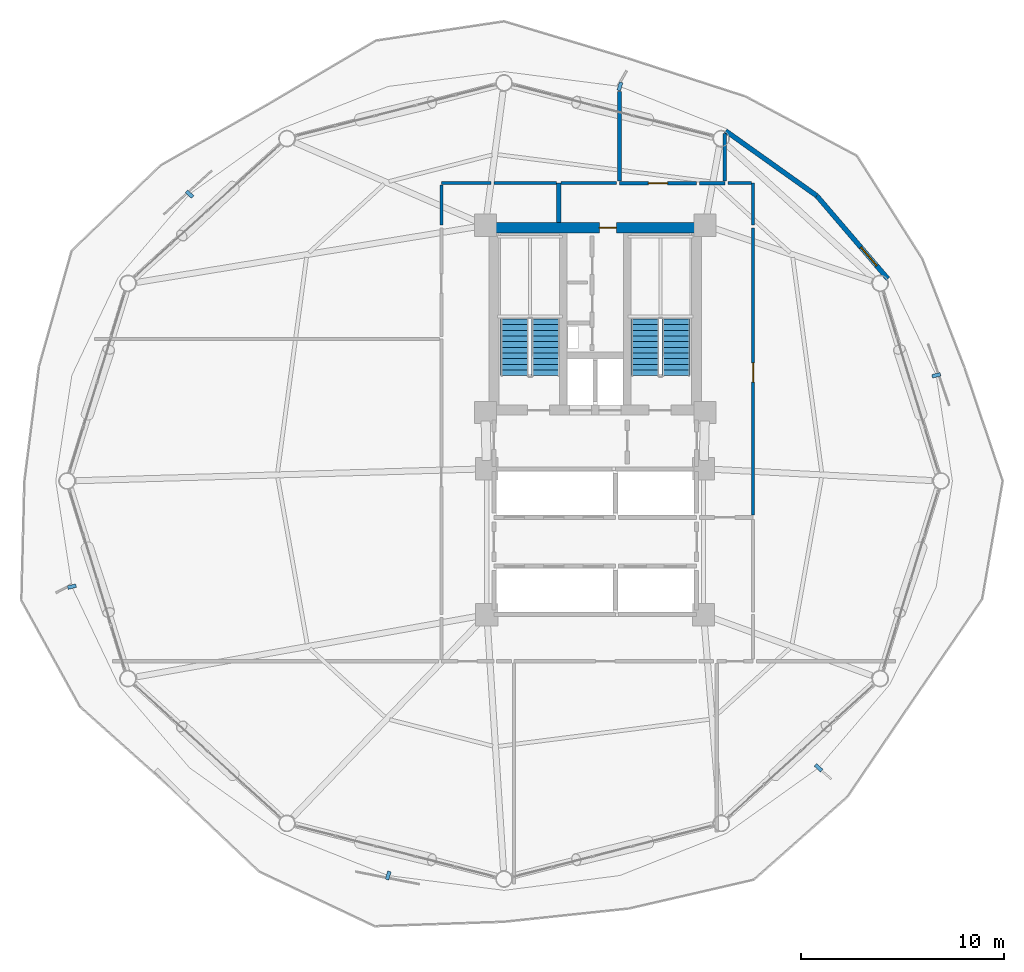
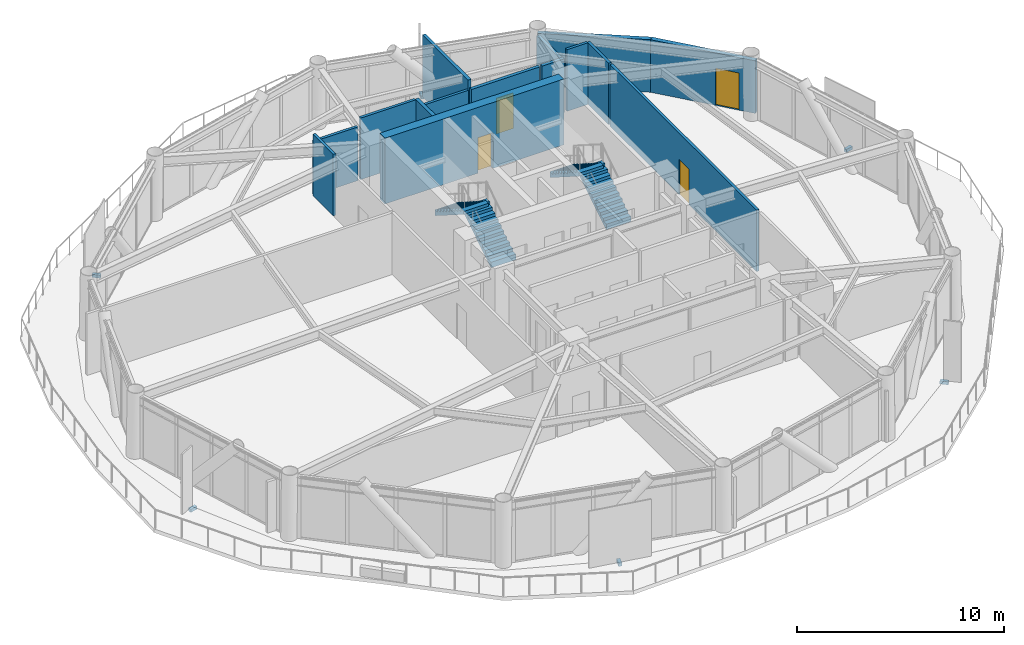
# One storey, part 21 of 24: 15 walls, 6 discrete accessories, 4 doors, 4 stair flights, 4 openings, 2 elements without a shape of their own.
"""IFC4 building model written with IfcOpenShell, lengths in metres."""

from ifc_helpers import new_model, si_unit, direction, frame, frame_2d, origin, origin_2d, place, context, subcontext, project, spatial, polyline, rectangle, outline, extrude, source, transform, mapped, material, layer, layer_set, type_object, type_shapes, element, fill, aggregate, save


model = new_model("IFC4")

# Units and contexts
model_context = context("Model", 3, precision=1e-05, world=origin(), true_north=direction((0.0, 1.0)))
body_context = subcontext(model_context, "Body", "Model", "MODEL_VIEW")
ifc_project = project(units=[si_unit("LENGTHUNIT", "METRE"), si_unit("AREAUNIT", "SQUARE_METRE"), si_unit("VOLUMEUNIT", "CUBIC_METRE"), si_unit("PLANEANGLEUNIT", "RADIAN"), si_unit("MASSUNIT", "GRAM", prefix="KILO")], contexts=[model_context])

# Site, building, storey
site_placement = place(None, origin())
site = spatial("IfcSite", under=ifc_project, at=site_placement, CompositionType="ELEMENT")
building_placement = place(site_placement, origin())
building = spatial("IfcBuilding", under=site, at=building_placement, Name="Varnakorn Sky Granary", CompositionType="ELEMENT")
storey_placement = place(building_placement, frame((0.0, 0.0, 103.199951171875)))
storey = spatial("IfcBuildingStorey", under=building, at=storey_placement, Name="L25", CompositionType="ELEMENT", Elevation=103.199951171875)

# Wall, opening, door
ifc_material_1 = material(Name="Concrete C60/75", Category="concrete")
ifc_layer_1 = layer(ifc_material_1, 0.5, Name="Concrete C60/75")
ifc_layer_set_1 = layer_set([ifc_layer_1], Name="Concrete C60/75")
wall_type_1 = type_object("IfcWallType", Name="WT-CW-SHEAR-500", PredefinedType="SHEAR", material=ifc_layer_set_1)
wall_1_placement = place(storey_placement, frame((-2.0, 12.5, 0.0), z_axis=(0.0, 0.0, 1.0), x_axis=(1.0, 0.0, 0.0)))
wall_1 = element("IfcWall", 1, at=wall_1_placement, inside=storey, type_object=wall_type_1, Name="Core North Shear Wall L25", PredefinedType="SHEAR", context=body_context, shape_type="SweptSolid", body=[
    extrude(rectangle(XDim=10.0, YDim=0.5, at=frame_2d((5.0, 0.0))), origin(), (0.0, 0.0, 1.0), 3.89208984375),
])
opening_1_placement = place(wall_1_placement, frame((5.199951171875, 0.0, 0.0)))
opening_1 = element("IfcOpeningElement", 2, at=opening_1_placement, cuts=wall_1, Name="Opening FD-60N", PredefinedType="OPENING", context=body_context, shape_type="SweptSolid", body=[
    extrude(rectangle(XDim=0.85009765625, YDim=2.10009765625, at=frame_2d((0.425048828125, 1.050048828125))), frame((0.0, 0.260009765625, 0.0), z_axis=(0.0, -1.0, 0.0), x_axis=(1.0, 0.0, 0.0)), (0.0, 0.0, 1.0), 0.52001953125),
])
ifc_material_2 = material(Name="Acoustic Timber Fire Leaf", Category="wood")
door_type_1 = type_object("IfcDoorType", Name="DR-FD60-850", OperationType="NOTDEFINED", PredefinedType="DOOR", material=ifc_material_2)
door_1_placement = place(opening_1_placement, origin())
door_1 = element("IfcDoor", 3, at=door_1_placement, inside=storey, type_object=door_type_1, Name="Core North Service Door L25", OperationType="SINGLE_SWING_LEFT", OverallHeight=2.10009765625, OverallWidth=0.85009765625, PredefinedType="DOOR", context=body_context, shape_type="SweptSolid", body=[
    extrude(rectangle(XDim=0.85009765625, YDim=2.10009765625, at=frame_2d((0.425048828125, 1.050048828125))), frame((0.0, 0.02490234375, 0.0), z_axis=(0.0, -1.0, 0.0), x_axis=(1.0, 0.0, 0.0)), (0.0, 0.0, 1.0), 0.050048828125),
])
fill(opening_1, door_1)

ifc_material_3 = material(Name="Precast concrete C40/50", Category="concrete")
ifc_layer_2 = layer(ifc_material_3, 0.239990234375, Name="Precast concrete C40/50")
ifc_layer_set_2 = layer_set([ifc_layer_2], Name="Precast concrete C40/50")
wall_type_2 = type_object("IfcWallType", Name="WT-EW-BAL-260", PredefinedType="SOLIDWALL", material=ifc_layer_set_2)
wall_2_placement = place(storey_placement, frame((13.938232421875, 14.07861328125, 0.0), z_axis=(0.0, 0.0, 1.0), x_axis=(0.65010567735, -0.759843805185, 0.0)))
wall_2 = element("IfcWall", 4, at=wall_2_placement, inside=storey, type_object=wall_type_2, Name="Balcony Threshold Facade Wall L25-B02A", PredefinedType="SOLIDWALL", context=body_context, shape_type="SweptSolid", body=[
    extrude(rectangle(XDim=5.397216796875, YDim=0.239990234375, at=frame_2d((2.69873046875, 0.0))), origin(), (0.0, 0.0, 1.0), 3.110107421875),
])
opening_2_placement = place(wall_2_placement, frame((3.346923828125, 0.0, 0.0)))
opening_2 = element("IfcOpeningElement", 5, at=opening_2_placement, cuts=wall_2, Name="Opening BD-01", PredefinedType="OPENING", context=body_context, shape_type="SweptSolid", body=[
    extrude(rectangle(XDim=1.199951171875, YDim=2.199951171875, at=frame_2d((0.60009765625, 1.10009765625))), frame((0.0, 0.1298828125, 0.0), z_axis=(0.0, -1.0, 0.0), x_axis=(1.0, 0.0, 0.0)), (0.0, 0.0, 1.0), 0.260009765625),
])
ifc_material_4 = material(Name="Anodised Bronze Aluminium Alloy 6063-T6", Category="aluminium")
door_type_2 = type_object("IfcDoorType", Name="DR-BAL-1200", OperationType="NOTDEFINED", PredefinedType="DOOR", material=ifc_material_4)
door_2_placement = place(opening_2_placement, origin())
door_2 = element("IfcDoor", 6, at=door_2_placement, inside=storey, type_object=door_type_2, Name="Sky-Farm Balcony Access Door L25", OperationType="SINGLE_SWING_LEFT", OverallHeight=2.199951171875, OverallWidth=1.199951171875, PredefinedType="DOOR", context=body_context, shape_type="SweptSolid", body=[
    extrude(rectangle(XDim=1.199951171875, YDim=2.199951171875, at=frame_2d((0.60009765625, 1.10009765625))), frame((0.0, 0.02490234375, 0.0), z_axis=(0.0, -1.0, 0.0), x_axis=(1.0, 0.0, 0.0)), (0.0, 0.0, 1.0), 0.050048828125),
])
fill(opening_2, door_2)

# Walls
wall_3_placement = place(storey_placement, frame((9.43896484375, 17.281494140625, 0.0), z_axis=(0.0, 0.0, 1.0), x_axis=(0.814664326387, -0.579932785168, 0.0)))
element("IfcWall", 7, at=wall_3_placement, inside=storey, type_object=wall_type_2, Name="Balcony Return Facade Wall L25-B02B", PredefinedType="SOLIDWALL", context=body_context, shape_type="SweptSolid", body=[
    extrude(rectangle(XDim=5.52294921875, YDim=0.239990234375, at=frame_2d((2.761474609375, 0.0))), origin(), (0.0, 0.0, 1.0), 3.110107421875),
])
ifc_material_5 = material(Name="Autoclaved Aerated Concrete Blockwork", Category="masonry")
ifc_layer_3 = layer(ifc_material_5, 0.199951171875, Name="Autoclaved Aerated Concrete Blockwork")
ifc_layer_set_3 = layer_set([ifc_layer_3], Name="Autoclaved Aerated Concrete Blockwork")
wall_type_3 = type_object("IfcWallType", Name="WT-FIRE-200", PredefinedType="MOVABLE", material=ifc_layer_set_3)
wall_4_placement = place(storey_placement, frame((1.199951171875, 14.699951171875, 0.0), z_axis=(0.0, 0.0, 1.0), x_axis=(0.0, -1.0, 0.0)))
element("IfcWall", 8, at=wall_4_placement, inside=storey, type_object=wall_type_3, Name="Interior Partition Wall L25-032", PredefinedType="MOVABLE", context=body_context, shape_type="SweptSolid", body=[
    extrude(rectangle(XDim=1.93994140625, YDim=0.199951171875, at=frame_2d((0.969970703125, 0.0))), origin(), (0.0, 0.0, 1.0), 3.64013671875),
])

# Wall, opening, door
ifc_material_6 = material(Name="Gypsum Plasterboard on Steel Stud", Category="steel")
ifc_layer_4 = layer(ifc_material_6, 0.14990234375, Name="Gypsum Plasterboard on Steel Stud")
ifc_layer_set_4 = layer_set([ifc_layer_4], Name="Gypsum Plasterboard on Steel Stud")
wall_type_4 = type_object("IfcWallType", Name="WT-PART-150", PredefinedType="PARTITIONING", material=ifc_layer_set_4)
wall_5_placement = place(storey_placement, frame((10.800048828125, -1.68994140625, 0.0), z_axis=(0.0, 0.0, 1.0), x_axis=(0.0, 1.0, 0.0)))
wall_5 = element("IfcWall", 9, at=wall_5_placement, inside=storey, type_object=wall_type_4, Name="Interior Partition Wall L25-029", PredefinedType="PARTITIONING", context=body_context, shape_type="SweptSolid", body=[
    extrude(rectangle(XDim=14.18994140625, YDim=0.14990234375, at=frame_2d((7.094970703125, 0.0))), origin(), (0.0, 0.0, 1.0), 3.64013671875),
])
opening_3_placement = place(wall_5_placement, frame((6.56494140625, 0.0, 0.0)))
opening_3 = element("IfcOpeningElement", 10, at=opening_3_placement, cuts=wall_5, Name="Opening ID-95", PredefinedType="OPENING", context=body_context, shape_type="SweptSolid", body=[
    extrude(rectangle(XDim=0.949951171875, YDim=2.10009765625, at=frame_2d((0.47509765625, 1.050048828125))), frame((0.0, 0.0849609375, 0.0), z_axis=(0.0, -1.0, 0.0), x_axis=(1.0, 0.0, 0.0)), (0.0, 0.0, 1.0), 0.169921875),
])
ifc_material_7 = material(Name="Solid-Core Teak Veneer Leaf", Category="timber")
door_type_3 = type_object("IfcDoorType", Name="DR-INT-950", OperationType="NOTDEFINED", PredefinedType="DOOR", material=ifc_material_7)
door_3_placement = place(opening_3_placement, origin())
door_3 = element("IfcDoor", 11, at=door_3_placement, inside=storey, type_object=door_type_3, Name="Interior Door L25-029-1", OperationType="SINGLE_SWING_LEFT", OverallHeight=2.10009765625, OverallWidth=0.949951171875, PredefinedType="DOOR", context=body_context, shape_type="SweptSolid", body=[
    extrude(rectangle(XDim=0.949951171875, YDim=2.10009765625, at=frame_2d((0.47509765625, 1.050048828125))), frame((0.0, 0.02490234375, 0.0), z_axis=(0.0, -1.0, 0.0), x_axis=(1.0, 0.0, 0.0)), (0.0, 0.0, 1.0), 0.050048828125),
])
fill(opening_3, door_3)

# Walls
wall_6_placement = place(storey_placement, frame((1.090087890625, 14.699951171875, 0.0), z_axis=(0.0, 0.0, 1.0), x_axis=(-1.0, 0.0, 0.0)))
element("IfcWall", 12, at=wall_6_placement, inside=storey, type_object=wall_type_4, Name="Interior Partition Wall L25-042", PredefinedType="PARTITIONING", context=body_context, shape_type="SweptSolid", body=[
    extrude(rectangle(XDim=3.090087890625, YDim=0.14990234375, at=frame_2d((1.544921875, 0.0))), origin(), (0.0, 0.0, 1.0), 3.64013671875),
])
wall_7_placement = place(storey_placement, frame((-2.135009765625, 14.699951171875, 0.0), z_axis=(0.0, 0.0, 1.0), x_axis=(-1.0, 0.0, 0.0)))
element("IfcWall", 13, at=wall_7_placement, inside=storey, type_object=wall_type_4, Name="Interior Partition Wall L25-043", PredefinedType="PARTITIONING", context=body_context, shape_type="SweptSolid", body=[
    extrude(rectangle(XDim=2.465087890625, YDim=0.14990234375, at=frame_2d((1.232421875, 0.0))), origin(), (0.0, 0.0, 1.0), 3.172119140625),
])
wall_8_placement = place(storey_placement, frame((-4.60009765625, 14.614990234375, 0.0), z_axis=(0.0, 0.0, 1.0), x_axis=(0.0, -1.0, 0.0)))
element("IfcWall", 14, at=wall_8_placement, inside=storey, type_object=wall_type_4, Name="Interior Partition Wall L25-044", PredefinedType="PARTITIONING", context=body_context, shape_type="SweptSolid", body=[
    extrude(rectangle(XDim=1.97998046875, YDim=0.14990234375, at=frame_2d((0.989990234375, 0.0))), origin(), (0.0, 0.0, 1.0), 3.64013671875),
])
wall_9_placement = place(storey_placement, frame((4.050048828125, 14.699951171875, 0.0), z_axis=(0.0, 0.0, 1.0), x_axis=(-1.0, 0.0, 0.0)))
element("IfcWall", 15, at=wall_9_placement, inside=storey, type_object=wall_type_4, Name="Interior Partition Wall L25-045", PredefinedType="PARTITIONING", context=body_context, shape_type="SweptSolid", body=[
    extrude(rectangle(XDim=2.739990234375, YDim=0.14990234375, at=frame_2d((1.3701171875, 0.0))), origin(), (0.0, 0.0, 1.0), 3.172119140625),
])
wall_10_placement = place(storey_placement, frame((10.800048828125, 12.635009765625, 0.0), z_axis=(0.0, 0.0, 1.0), x_axis=(0.0, 1.0, 0.0)))
element("IfcWall", 16, at=wall_10_placement, inside=storey, type_object=wall_type_4, Name="Interior Partition Wall L25-047", PredefinedType="PARTITIONING", context=body_context, shape_type="SweptSolid", body=[
    extrude(rectangle(XDim=2.06494140625, YDim=0.14990234375, at=frame_2d((1.032470703125, 0.0))), origin(), (0.0, 0.0, 1.0), 3.64013671875),
])
wall_11_placement = place(storey_placement, frame((10.715087890625, 14.699951171875, 0.0), z_axis=(0.0, 0.0, 1.0), x_axis=(-1.0, 0.0, 0.0)))
element("IfcWall", 17, at=wall_11_placement, inside=storey, type_object=wall_type_4, Name="Interior Partition Wall L25-048", PredefinedType="PARTITIONING", context=body_context, shape_type="SweptSolid", body=[
    extrude(rectangle(XDim=1.1650390625, YDim=0.14990234375, at=frame_2d((0.58251953125, 0.0))), origin(), (0.0, 0.0, 1.0), 3.64013671875),
])

# Wall, opening, door
ifc_material_8 = material(Name="Moisture-Resistant Gypsum on Stud", Category="gypsum")
ifc_layer_5 = layer(ifc_material_8, 0.179931640625, Name="Moisture-Resistant Gypsum on Stud")
ifc_layer_set_5 = layer_set([ifc_layer_5], Name="Moisture-Resistant Gypsum on Stud")
wall_type_5 = type_object("IfcWallType", Name="WT-PLUMB-180", PredefinedType="PLUMBINGWALL", material=ifc_layer_set_5)
wall_12_placement = place(storey_placement, frame((8.0, 14.699951171875, 0.0), z_axis=(0.0, 0.0, 1.0), x_axis=(-1.0, 0.0, 0.0)))
wall_12 = element("IfcWall", 18, at=wall_12_placement, inside=storey, type_object=wall_type_5, Name="Interior Partition Wall L25-023", PredefinedType="PLUMBINGWALL", context=body_context, shape_type="SweptSolid", body=[
    extrude(rectangle(XDim=3.800048828125, YDim=0.179931640625, at=frame_2d((1.89990234375, 0.0))), origin(), (0.0, 0.0, 1.0), 3.172119140625),
])
opening_4_placement = place(wall_12_placement, frame((1.425048828125, 0.0, 0.0)))
opening_4 = element("IfcOpeningElement", 19, at=opening_4_placement, cuts=wall_12, Name="Opening ID-95", PredefinedType="OPENING", context=body_context, shape_type="SweptSolid", body=[
    extrude(rectangle(XDim=0.949951171875, YDim=2.10009765625, at=frame_2d((0.47509765625, 1.050048828125))), frame((0.0, 0.10009765625, 0.0), z_axis=(0.0, -1.0, 0.0), x_axis=(1.0, 0.0, 0.0)), (0.0, 0.0, 1.0), 0.199951171875),
])
door_4_placement = place(opening_4_placement, origin())
door_4 = element("IfcDoor", 20, at=door_4_placement, inside=storey, type_object=door_type_3, Name="Interior Door L25-023-1", OperationType="SINGLE_SWING_LEFT", OverallHeight=2.10009765625, OverallWidth=0.949951171875, PredefinedType="DOOR", context=body_context, shape_type="SweptSolid", body=[
    extrude(rectangle(XDim=0.949951171875, YDim=2.10009765625, at=frame_2d((0.47509765625, 1.050048828125))), frame((0.0, 0.02490234375, 0.0), z_axis=(0.0, -1.0, 0.0), x_axis=(1.0, 0.0, 0.0)), (0.0, 0.0, 1.0), 0.050048828125),
])
fill(opening_4, door_4)

# Walls
wall_13_placement = place(storey_placement, frame((9.39990234375, 14.699951171875, 0.0), z_axis=(0.0, 0.0, 1.0), x_axis=(-1.0, 0.0, 0.0)))
element("IfcWall", 21, at=wall_13_placement, inside=storey, type_object=wall_type_5, Name="Interior Partition Wall L25-033", PredefinedType="PLUMBINGWALL", context=body_context, shape_type="SweptSolid", body=[
    extrude(rectangle(XDim=1.25, YDim=0.179931640625, at=frame_2d((0.625, 0.0))), origin(), (0.0, 0.0, 1.0), 3.172119140625),
])
wall_14_placement = place(storey_placement, frame((4.199951171875, 19.22802734375, 0.0), z_axis=(0.0, 0.0, 1.0), x_axis=(0.0, -1.0, 0.0)))
element("IfcWall", 22, at=wall_14_placement, inside=storey, type_object=wall_type_5, Name="Interior Partition Wall L25-046", PredefinedType="PLUMBINGWALL", context=body_context, shape_type="SweptSolid", body=[
    extrude(rectangle(XDim=4.427978515625, YDim=0.179931640625, at=frame_2d((2.2138671875, 0.0))), origin(), (0.0, 0.0, 1.0), 3.64013671875),
])
wall_15_placement = place(storey_placement, frame((9.39990234375, 14.800048828125, 0.0), z_axis=(0.0, 0.0, 1.0), x_axis=(0.0, 1.0, 0.0)))
element("IfcWall", 23, at=wall_15_placement, inside=storey, type_object=wall_type_5, Name="Interior Partition Wall L25-051", PredefinedType="PLUMBINGWALL", context=body_context, shape_type="SweptSolid", body=[
    extrude(rectangle(XDim=2.363037109375, YDim=0.179931640625, at=frame_2d((1.181640625, 0.0))), origin(), (0.0, 0.0, 1.0), 3.02197265625),
])

# Stair, stair flights
ifc_material_9 = material(Name="Concrete C40/50", Category="concrete")
stair_type = type_object("IfcStairType", Name="ST-MAIN-ASSEMBLY", PredefinedType="HALF_TURN_STAIR", material=ifc_material_9)
stair_1_placement = place(storey_placement, origin())
stair_1 = element("IfcStair", 24, at=stair_1_placement, inside=storey, type_object=stair_type, Name="L25 Protected Exit Stair ST-1", PredefinedType="HALF_TURN_STAIR")
stair_flight_type = type_object("IfcStairFlightType", Name="ST-MAIN-FLIGHT", PredefinedType="STRAIGHT", material=ifc_material_9)
stair_flight_1_placement = place(storey_placement, frame((0.550048828125, 5.199951171875, 0.0), z_axis=(0.0, 0.0, 1.0), x_axis=(0.0, 1.0, 0.0)))
stair_flight_1 = element("IfcStairFlight", 25, at=stair_flight_1_placement, type_object=stair_flight_type, Name="ST-1 flight 1", NumberOfRisers=11, NumberOfTreads=10, PredefinedType="STRAIGHT", RiserHeight=0.177272727, TreadLength=0.28, context=body_context, shape_type="SweptSolid", body=[
    extrude(outline(polyline([(0.0, -0.14990234375), (0.0, 0.0), (0.0, 0.17724609375), (0.280029296875, 0.17724609375), (0.280029296875, 0.3544921875), (0.56005859375, 0.3544921875), (0.56005859375, 0.53173828125), (0.840087890625, 0.53173828125), (0.840087890625, 0.708984375), (1.1201171875, 0.708984375), (1.1201171875, 0.886474609375), (1.39990234375, 0.886474609375), (1.39990234375, 1.063720703125), (1.679931640625, 1.063720703125), (1.679931640625, 1.240966796875), (1.9599609375, 1.240966796875), (1.9599609375, 1.418212890625), (2.239990234375, 1.418212890625), (2.239990234375, 1.595458984375), (2.52001953125, 1.595458984375), (2.52001953125, 1.772705078125), (2.800048828125, 1.772705078125), (2.800048828125, 1.949951171875), (2.800048828125, 1.59521484375), (0.050048828125, -0.14990234375), (0.0, -0.14990234375)])), frame((0.0, 0.68994140625, 0.0), z_axis=(0.0, -1.0, 0.0), x_axis=(1.0, 0.0, 0.0)), (0.0, 0.0, 1.0), 1.3798828125),
])
stair_flight_2_placement = place(storey_placement, frame((-0.97998046875, 8.0, 1.949951171875), z_axis=(0.0, 0.0, 1.0), x_axis=(0.0, -1.0, 0.0)))
stair_flight_2 = element("IfcStairFlight", 26, at=stair_flight_2_placement, type_object=stair_flight_type, Name="ST-1 flight 2", NumberOfRisers=11, NumberOfTreads=10, PredefinedType="STRAIGHT", RiserHeight=0.177272727, TreadLength=0.28, context=body_context, shape_type="SweptSolid", body=[
    extrude(outline(polyline([(0.0, -0.14990234375), (0.0, 0.0), (0.0, 0.17724609375), (0.280029296875, 0.17724609375), (0.280029296875, 0.3544921875), (0.56005859375, 0.3544921875), (0.56005859375, 0.53173828125), (0.840087890625, 0.53173828125), (0.840087890625, 0.708984375), (1.1201171875, 0.708984375), (1.1201171875, 0.886474609375), (1.39990234375, 0.886474609375), (1.39990234375, 1.063720703125), (1.679931640625, 1.063720703125), (1.679931640625, 1.240966796875), (1.9599609375, 1.240966796875), (1.9599609375, 1.418212890625), (2.239990234375, 1.418212890625), (2.239990234375, 1.595458984375), (2.52001953125, 1.595458984375), (2.52001953125, 1.772705078125), (2.800048828125, 1.772705078125), (2.800048828125, 1.949951171875), (2.800048828125, 1.59521484375), (0.050048828125, -0.14990234375), (0.0, -0.14990234375)])), frame((0.0, 0.68994140625, 0.0), z_axis=(0.0, -1.0, 0.0), x_axis=(1.0, 0.0, 0.0)), (0.0, 0.0, 1.0), 1.3798828125),
])
aggregate(stair_1, [stair_flight_1, stair_flight_2])

stair_2_placement = place(storey_placement, origin())
stair_2 = element("IfcStair", 27, at=stair_2_placement, inside=storey, type_object=stair_type, Name="L25 Protected Exit Stair ST-2", PredefinedType="HALF_TURN_STAIR")
stair_flight_3_placement = place(storey_placement, frame((6.989990234375, 5.199951171875, 0.0), z_axis=(0.0, 0.0, 1.0), x_axis=(0.0, 1.0, 0.0)))
stair_flight_3 = element("IfcStairFlight", 28, at=stair_flight_3_placement, type_object=stair_flight_type, Name="ST-2 flight 1", NumberOfRisers=11, NumberOfTreads=10, PredefinedType="STRAIGHT", RiserHeight=0.177272727, TreadLength=0.28, context=body_context, shape_type="SweptSolid", body=[
    extrude(outline(polyline([(0.0, -0.14990234375), (0.0, 0.0), (0.0, 0.17724609375), (0.280029296875, 0.17724609375), (0.280029296875, 0.3544921875), (0.56005859375, 0.3544921875), (0.56005859375, 0.53173828125), (0.840087890625, 0.53173828125), (0.840087890625, 0.708984375), (1.1201171875, 0.708984375), (1.1201171875, 0.886474609375), (1.39990234375, 0.886474609375), (1.39990234375, 1.063720703125), (1.679931640625, 1.063720703125), (1.679931640625, 1.240966796875), (1.9599609375, 1.240966796875), (1.9599609375, 1.418212890625), (2.239990234375, 1.418212890625), (2.239990234375, 1.595458984375), (2.52001953125, 1.595458984375), (2.52001953125, 1.772705078125), (2.800048828125, 1.772705078125), (2.800048828125, 1.949951171875), (2.800048828125, 1.59521484375), (0.050048828125, -0.14990234375), (0.0, -0.14990234375)])), frame((0.0, 0.68994140625, 0.0), z_axis=(0.0, -1.0, 0.0), x_axis=(1.0, 0.0, 0.0)), (0.0, 0.0, 1.0), 1.3798828125),
])
stair_flight_4_placement = place(storey_placement, frame((5.4599609375, 8.0, 1.949951171875), z_axis=(0.0, 0.0, 1.0), x_axis=(0.0, -1.0, 0.0)))
stair_flight_4 = element("IfcStairFlight", 29, at=stair_flight_4_placement, type_object=stair_flight_type, Name="ST-2 flight 2", NumberOfRisers=11, NumberOfTreads=10, PredefinedType="STRAIGHT", RiserHeight=0.177272727, TreadLength=0.28, context=body_context, shape_type="SweptSolid", body=[
    extrude(outline(polyline([(0.0, -0.14990234375), (0.0, 0.0), (0.0, 0.17724609375), (0.280029296875, 0.17724609375), (0.280029296875, 0.3544921875), (0.56005859375, 0.3544921875), (0.56005859375, 0.53173828125), (0.840087890625, 0.53173828125), (0.840087890625, 0.708984375), (1.1201171875, 0.708984375), (1.1201171875, 0.886474609375), (1.39990234375, 0.886474609375), (1.39990234375, 1.063720703125), (1.679931640625, 1.063720703125), (1.679931640625, 1.240966796875), (1.9599609375, 1.240966796875), (1.9599609375, 1.418212890625), (2.239990234375, 1.418212890625), (2.239990234375, 1.595458984375), (2.52001953125, 1.595458984375), (2.52001953125, 1.772705078125), (2.800048828125, 1.772705078125), (2.800048828125, 1.949951171875), (2.800048828125, 1.59521484375), (0.050048828125, -0.14990234375), (0.0, -0.14990234375)])), frame((0.0, 0.68994140625, 0.0), z_axis=(0.0, -1.0, 0.0), x_axis=(1.0, 0.0, 0.0)), (0.0, 0.0, 1.0), 1.3798828125),
])
aggregate(stair_2, [stair_flight_3, stair_flight_4])

# Discrete accessories
ifc_material_10 = material(Name="Steel S355JR", Category="steel")
discrete_accessory_type = type_object("IfcDiscreteAccessoryType", Name="AC-BRK-01", PredefinedType="BRACKET", material=ifc_material_10)
shared_shape = source(origin(), body_context, "Body", "SweptSolid", [
    extrude(rectangle(XDim=0.179931640625, YDim=0.419921875, at=origin_2d()), origin(), (0.0, 0.0, 1.0), 0.179931640625),
])
type_shapes(discrete_accessory_type, [shared_shape])
for number, where, z_axis, x_axis, name in (
    (30, (19.836181640625, 5.216552734375, -0.19970703125), (0.0, 0.0, 1.0), (-0.237496767153, 0.971388328935, 0.0), "Facade Solar-Screen Outrigger Bracket L25-01"),
    (31, (4.219482421875, 19.47705078125, -0.19970703125), (0.0, 0.0, 1.0), (-0.959486223969, 0.281755543005, 0.0), "Facade Solar-Screen Outrigger Bracket L25-03"),
    (32, (-17.027099609375, 14.159423828125, -0.19970703125), (0.0, 0.0, 1.0), (-0.673816656102, -0.738898581647, 0.0), "Facade Solar-Screen Outrigger Bracket L25-05"),
    (33, (-22.836181640625, -5.216552734375, -0.19970703125), (0.0, 0.0, 1.0), (0.237496767153, -0.971388328935, 0.0), "Facade Solar-Screen Outrigger Bracket L25-07"),
    (34, (-7.219482421875, -19.47705078125, -0.19970703125), (0.0, 0.0, 1.0), (0.959486223969, -0.281755543005, 0.0), "Facade Solar-Screen Outrigger Bracket L25-09"),
    (35, (14.027099609375, -14.159423828125, -0.19970703125), (0.0, 0.0, 1.0), (0.673816656102, 0.738898581647, 0.0), "Facade Solar-Screen Outrigger Bracket L25-11"),
):
    element("IfcDiscreteAccessory", number, at=place(storey_placement, frame(where, z_axis=z_axis, x_axis=x_axis)), inside=storey, type_object=discrete_accessory_type, Name=name, PredefinedType="BRACKET", context=body_context, shape_type="MappedRepresentation", body=[
        mapped(shared_shape, transform((0.0, 0.0, 0.0), x_axis=(1.0, 0.0, 0.0), y_axis=(0.0, 1.0, 0.0), z_axis=(0.0, 0.0, 1.0), scale=1.0)),
    ])

save(model, "model.ifc")
